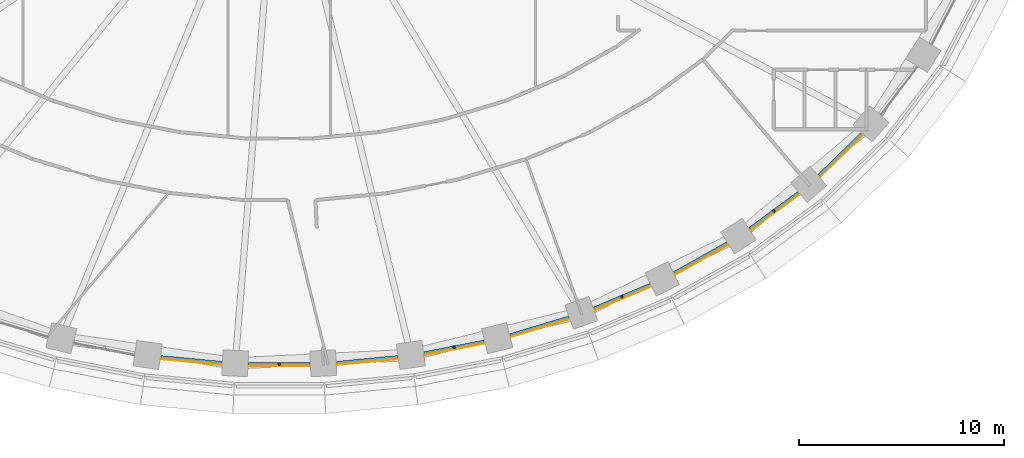
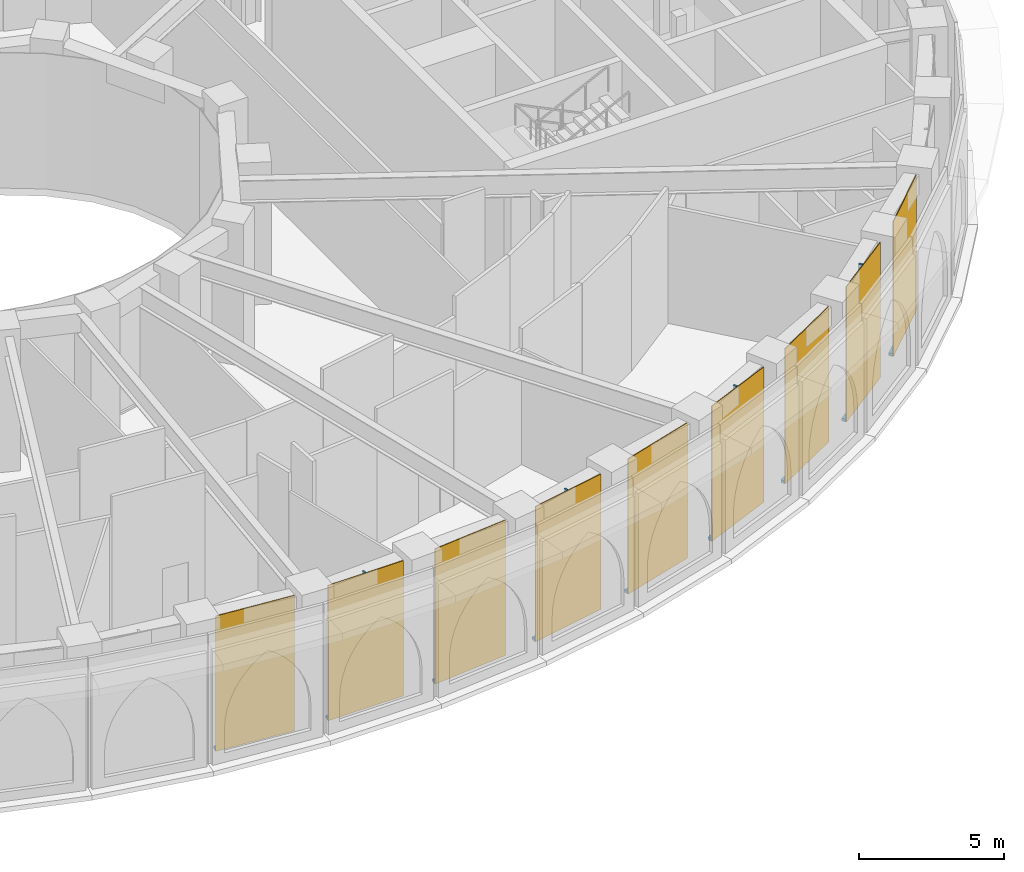
# One storey, part 11 of 23: 13 members, 9 curtain walls.
"""IFC4 building model written with IfcOpenShell, lengths in metres."""

from ifc_helpers import new_model, si_unit, direction, frame, origin, origin_2d, place, context, subcontext, project, spatial, polyline, rectangle, outline, extrude, material, layer, layer_set, material_profile, profile_set, type_object, element, aggregate, save


model = new_model("IFC4")

# Units and contexts
model_context = context("Model", 3, precision=1e-05, world=origin(), true_north=direction((0.0, 1.0)))
body_context = subcontext(model_context, "Body", "Model", "MODEL_VIEW")
ifc_project = project(units=[si_unit("LENGTHUNIT", "METRE"), si_unit("AREAUNIT", "SQUARE_METRE"), si_unit("VOLUMEUNIT", "CUBIC_METRE"), si_unit("PLANEANGLEUNIT", "RADIAN"), si_unit("MASSUNIT", "GRAM", prefix="KILO")], contexts=[model_context])

# Member
ifc_material_1 = material(Name="Aluminium 6063-T6 black anodised", Category="aluminium")
ifc_material_profile = material_profile(ifc_material_1, rectangle(XDim=0.14990234375, YDim=0.080078125, at=origin_2d()), Name="150x80")
ifc_profile_set = profile_set([ifc_material_profile], Name="Aluminium 6063-T6 black anodised")
member_type_1 = type_object("IfcMemberType", Name="ENV-MULLION-B-150", PredefinedType="MULLION", material=ifc_profile_set)
site_placement = place(None, origin())
building_placement = place(site_placement, origin())
storey_placement = place(building_placement, frame((0.0, 0.0, 140.0)))
member_1_placement = place(storey_placement, frame((0.0, -26.94091796875, 0.1201171875), z_axis=(0.0, 0.0, 1.0), x_axis=(0.0, 1.0, 0.0)))
member_1 = element("IfcMember", 1, at=member_1_placement, type_object=member_type_1, Name="Mullion B chord 35", PredefinedType="MULLION", context=body_context, shape_type="SweptSolid", body=[
    extrude(rectangle(XDim=0.14990234375, YDim=0.080078125, at=origin_2d()), origin(), (0.0, 0.0, 1.0), 5.579833984375),
])

member_2_placement = place(storey_placement, frame((8.51953125, -26.12451171875, 0.1201171875), z_axis=(0.0, 0.0, 1.0), x_axis=(-0.190820470077, 0.981624952922, 0.0)))
member_2 = element("IfcMember", 2, at=member_2_placement, type_object=member_type_1, Name="Mullion B chord 37", PredefinedType="MULLION", context=body_context, shape_type="SweptSolid", body=[
    extrude(rectangle(XDim=0.14990234375, YDim=0.080078125, at=origin_2d()), origin(), (0.0, 0.0, 1.0), 5.579833984375),
])

member_3_placement = place(storey_placement, frame((16.69482421875, -23.652587890625, 0.1201171875), z_axis=(0.0, 0.0, 1.0), x_axis=(-0.387638279686, 0.921811566494, 0.0)))
member_3 = element("IfcMember", 3, at=member_3_placement, type_object=member_type_1, Name="Mullion B chord 39", PredefinedType="MULLION", context=body_context, shape_type="SweptSolid", body=[
    extrude(rectangle(XDim=0.14990234375, YDim=0.080078125, at=origin_2d()), origin(), (0.0, 0.0, 1.0), 5.579833984375),
])

member_4_placement = place(storey_placement, frame((24.098388671875, -19.474365234375, 0.1201171875), z_axis=(0.0, 0.0, 1.0), x_axis=(-0.593067090304, 0.805153045326, 0.0)))
member_4 = element("IfcMember", 4, at=member_4_placement, type_object=member_type_1, Name="Mullion B chord 41", PredefinedType="MULLION", context=body_context, shape_type="SweptSolid", body=[
    extrude(rectangle(XDim=0.14990234375, YDim=0.080078125, at=origin_2d()), origin(), (0.0, 0.0, 1.0), 5.579833984375),
])

ifc_material_2 = material(Name="Aluminium 6063-T6 black anodised", Category="aluminium")
member_type_2 = type_object("IfcMemberType", Name="ENV-TRANSOM-B", PredefinedType="USERDEFINED", material=ifc_material_2)
member_5_placement = place(storey_placement, origin())
member_5 = element("IfcMember", 5, at=member_5_placement, type_object=member_type_2, Name="Transom B radial 34-35", ObjectType="TRANSOM", PredefinedType="USERDEFINED", context=body_context, shape_type="SweptSolid", body=[
    extrude(outline(polyline([(-5.774658203125, -26.669921875), (-2.7998046875, -26.953857421875), (-2.792724609375, -26.803955078125), (-5.753173828125, -26.521240234375), (-5.774658203125, -26.669921875)])), origin(), (0.0, 0.0, 1.0), 0.1201171875),
])

member_6_placement = place(storey_placement, origin())
member_6 = element("IfcMember", 6, at=member_6_placement, type_object=member_type_2, Name="Transom B radial 35-36", ObjectType="TRANSOM", PredefinedType="USERDEFINED", context=body_context, shape_type="SweptSolid", body=[
    extrude(outline(polyline([(-1.494873046875, -27.01611328125), (1.494873046875, -27.01611328125), (1.487548828125, -26.865966796875), (-1.487548828125, -26.865966796875), (-1.494873046875, -27.01611328125)])), origin(), (0.0, 0.0, 1.0), 0.1201171875),
])

member_7_placement = place(storey_placement, origin())
member_7 = element("IfcMember", 7, at=member_7_placement, type_object=member_type_2, Name="Transom B radial 36-37", ObjectType="TRANSOM", PredefinedType="USERDEFINED", context=body_context, shape_type="SweptSolid", body=[
    extrude(outline(polyline([(2.7998046875, -26.953857421875), (5.774658203125, -26.669921875), (5.753173828125, -26.521240234375), (2.792724609375, -26.803955078125), (2.7998046875, -26.953857421875)])), origin(), (0.0, 0.0, 1.0), 0.1201171875),
])

member_8_placement = place(storey_placement, origin())
member_8 = element("IfcMember", 8, at=member_8_placement, type_object=member_type_2, Name="Transom B radial 37-38", ObjectType="TRANSOM", PredefinedType="USERDEFINED", context=body_context, shape_type="SweptSolid", body=[
    extrude(outline(polyline([(7.068603515625, -26.48291015625), (9.998046875, -25.913330078125), (9.9619140625, -25.767578125), (7.047119140625, -26.334228515625), (7.068603515625, -26.48291015625)])), origin(), (0.0, 0.0, 1.0), 0.1201171875),
])

member_9_placement = place(storey_placement, origin())
member_9 = element("IfcMember", 9, at=member_9_placement, type_object=member_type_2, Name="Transom B radial 38-39", ObjectType="TRANSOM", PredefinedType="USERDEFINED", context=body_context, shape_type="SweptSolid", body=[
    extrude(outline(polyline([(11.269287109375, -25.599365234375), (14.1201171875, -24.741455078125), (14.0693359375, -24.60009765625), (11.2333984375, -25.45361328125), (11.269287109375, -25.599365234375)])), origin(), (0.0, 0.0, 1.0), 0.1201171875),
])

member_10_placement = place(storey_placement, origin())
member_10 = element("IfcMember", 10, at=member_10_placement, type_object=member_type_2, Name="Transom B radial 39-40", ObjectType="TRANSOM", PredefinedType="USERDEFINED", context=body_context, shape_type="SweptSolid", body=[
    extrude(outline(polyline([(15.355224609375, -24.29736328125), (18.09033203125, -23.147216796875), (18.0244140625, -23.01220703125), (15.304443359375, -24.156005859375), (15.355224609375, -24.29736328125)])), origin(), (0.0, 0.0, 1.0), 0.1201171875),
])

member_11_placement = place(storey_placement, origin())
member_11 = element("IfcMember", 11, at=member_11_placement, type_object=member_type_2, Name="Transom B radial 40-41", ObjectType="TRANSOM", PredefinedType="USERDEFINED", context=body_context, shape_type="SweptSolid", body=[
    extrude(outline(polyline([(19.273193359375, -22.56884765625), (21.848388671875, -21.12353515625), (21.76708984375, -20.997314453125), (19.207275390625, -22.433837890625), (19.273193359375, -22.56884765625)])), origin(), (0.0, 0.0, 1.0), 0.1201171875),
])

member_12_placement = place(storey_placement, origin())
member_12 = element("IfcMember", 12, at=member_12_placement, type_object=member_type_2, Name="Transom B radial 41-42", ObjectType="TRANSOM", PredefinedType="USERDEFINED", context=body_context, shape_type="SweptSolid", body=[
    extrude(outline(polyline([(22.95947265625, -20.406494140625), (25.322998046875, -18.66552734375), (25.2255859375, -18.55078125), (22.8779296875, -20.2802734375), (22.95947265625, -20.406494140625)])), origin(), (0.0, 0.0, 1.0), 0.1201171875),
])

member_13_placement = place(storey_placement, origin())
member_13 = element("IfcMember", 13, at=member_13_placement, type_object=member_type_2, Name="Transom B radial 42-43", ObjectType="TRANSOM", PredefinedType="USERDEFINED", context=body_context, shape_type="SweptSolid", body=[
    extrude(outline(polyline([(26.3369140625, -17.806396484375), (28.426513671875, -15.776123046875), (28.31396484375, -15.676513671875), (26.23974609375, -17.691650390625), (26.3369140625, -17.806396484375)])), origin(), (0.0, 0.0, 1.0), 0.1201171875),
])

# Site, building, storey
site = spatial("IfcSite", under=ifc_project, at=site_placement, CompositionType="ELEMENT")
building = spatial("IfcBuilding", under=site, at=building_placement, Name="Noorbagh Ring Tower", CompositionType="ELEMENT")
storey = spatial("IfcBuildingStorey", under=building, at=storey_placement, Name="L32", CompositionType="ELEMENT", Elevation=140.0)

# Curtain wall
ifc_material_3 = material(Name="Glass dark tinted laminated", Category="glass")
ifc_layer = layer(ifc_material_3, 0.031982421875)
ifc_layer_set = layer_set([ifc_layer], Name="Glass dark tinted laminated")
curtain_wall_type = type_object("IfcCurtainWallType", Name="ENV-CW-B", PredefinedType="NOTDEFINED", material=ifc_layer_set)
curtain_wall_1_placement = place(storey_placement, origin())
curtain_wall_1 = element("IfcCurtainWall", 14, at=curtain_wall_1_placement, inside=storey, type_object=curtain_wall_type, Name="Curtain wall B R34", PredefinedType="NOTDEFINED", context=body_context, shape_type="SweptSolid", body=[
    extrude(outline(polyline([(-5.779296875, -26.70166015625), (-2.801513671875, -26.98583984375), (-2.7998046875, -26.953857421875), (-5.774658203125, -26.669921875), (-5.779296875, -26.70166015625)])), origin(), (0.0, 0.0, 1.0), 5.699951171875),
])

aggregate(curtain_wall_1, [member_5])

curtain_wall_2_placement = place(storey_placement, origin())
curtain_wall_2 = element("IfcCurtainWall", 15, at=curtain_wall_2_placement, inside=storey, type_object=curtain_wall_type, Name="Curtain wall B R35", PredefinedType="NOTDEFINED", context=body_context, shape_type="SweptSolid", body=[
    extrude(outline(polyline([(-1.496337890625, -27.048095703125), (1.496337890625, -27.048095703125), (1.494873046875, -27.01611328125), (-1.494873046875, -27.01611328125), (-1.496337890625, -27.048095703125)])), origin(), (0.0, 0.0, 1.0), 5.699951171875),
])

aggregate(curtain_wall_2, [member_1, member_6])

curtain_wall_3_placement = place(storey_placement, origin())
curtain_wall_3 = element("IfcCurtainWall", 16, at=curtain_wall_3_placement, inside=storey, type_object=curtain_wall_type, Name="Curtain wall B R36", PredefinedType="NOTDEFINED", context=body_context, shape_type="SweptSolid", body=[
    extrude(outline(polyline([(2.801513671875, -26.98583984375), (5.779296875, -26.70166015625), (5.774658203125, -26.669921875), (2.7998046875, -26.953857421875), (2.801513671875, -26.98583984375)])), origin(), (0.0, 0.0, 1.0), 5.699951171875),
])

aggregate(curtain_wall_3, [member_7])

curtain_wall_4_placement = place(storey_placement, origin())
curtain_wall_4 = element("IfcCurtainWall", 17, at=curtain_wall_4_placement, inside=storey, type_object=curtain_wall_type, Name="Curtain wall B R37", PredefinedType="NOTDEFINED", context=body_context, shape_type="SweptSolid", body=[
    extrude(outline(polyline([(7.0732421875, -26.5146484375), (10.005615234375, -25.944580078125), (9.998046875, -25.913330078125), (7.068603515625, -26.48291015625), (7.0732421875, -26.5146484375)])), origin(), (0.0, 0.0, 1.0), 5.699951171875),
])

aggregate(curtain_wall_4, [member_2, member_8])

curtain_wall_5_placement = place(storey_placement, origin())
curtain_wall_5 = element("IfcCurtainWall", 18, at=curtain_wall_5_placement, inside=storey, type_object=curtain_wall_type, Name="Curtain wall B R38", PredefinedType="NOTDEFINED", context=body_context, shape_type="SweptSolid", body=[
    extrude(outline(polyline([(11.277099609375, -25.630615234375), (14.131103515625, -24.771484375), (14.1201171875, -24.741455078125), (11.269287109375, -25.599365234375), (11.277099609375, -25.630615234375)])), origin(), (0.0, 0.0, 1.0), 5.699951171875),
])

aggregate(curtain_wall_5, [member_9])

curtain_wall_6_placement = place(storey_placement, origin())
curtain_wall_6 = element("IfcCurtainWall", 19, at=curtain_wall_6_placement, inside=storey, type_object=curtain_wall_type, Name="Curtain wall B R39", PredefinedType="NOTDEFINED", context=body_context, shape_type="SweptSolid", body=[
    extrude(outline(polyline([(15.3662109375, -24.327392578125), (18.1044921875, -23.176025390625), (18.09033203125, -23.147216796875), (15.355224609375, -24.29736328125), (15.3662109375, -24.327392578125)])), origin(), (0.0, 0.0, 1.0), 5.699951171875),
])

aggregate(curtain_wall_6, [member_3, member_10])

curtain_wall_7_placement = place(storey_placement, origin())
curtain_wall_7 = element("IfcCurtainWall", 20, at=curtain_wall_7_placement, inside=storey, type_object=curtain_wall_type, Name="Curtain wall B R40", PredefinedType="NOTDEFINED", context=body_context, shape_type="SweptSolid", body=[
    extrude(outline(polyline([(19.287353515625, -22.59765625), (21.865966796875, -21.150390625), (21.848388671875, -21.12353515625), (19.273193359375, -22.56884765625), (19.287353515625, -22.59765625)])), origin(), (0.0, 0.0, 1.0), 5.699951171875),
])

aggregate(curtain_wall_7, [member_11])

curtain_wall_8_placement = place(storey_placement, origin())
curtain_wall_8 = element("IfcCurtainWall", 21, at=curtain_wall_8_placement, inside=storey, type_object=curtain_wall_type, Name="Curtain wall B R41", PredefinedType="NOTDEFINED", context=body_context, shape_type="SweptSolid", body=[
    extrude(outline(polyline([(22.976806640625, -20.433349609375), (25.343505859375, -18.690185546875), (25.322998046875, -18.66552734375), (22.95947265625, -20.406494140625), (22.976806640625, -20.433349609375)])), origin(), (0.0, 0.0, 1.0), 5.699951171875),
])

aggregate(curtain_wall_8, [member_4, member_12])

curtain_wall_9_placement = place(storey_placement, origin())
curtain_wall_9 = element("IfcCurtainWall", 22, at=curtain_wall_9_placement, inside=storey, type_object=curtain_wall_type, Name="Curtain wall B R42", PredefinedType="NOTDEFINED", context=body_context, shape_type="SweptSolid", body=[
    extrude(outline(polyline([(26.357666015625, -17.830810546875), (28.45068359375, -15.79736328125), (28.426513671875, -15.776123046875), (26.3369140625, -17.806396484375), (26.357666015625, -17.830810546875)])), origin(), (0.0, 0.0, 1.0), 5.699951171875),
])

aggregate(curtain_wall_9, [member_13])

save(model, "model.ifc")
